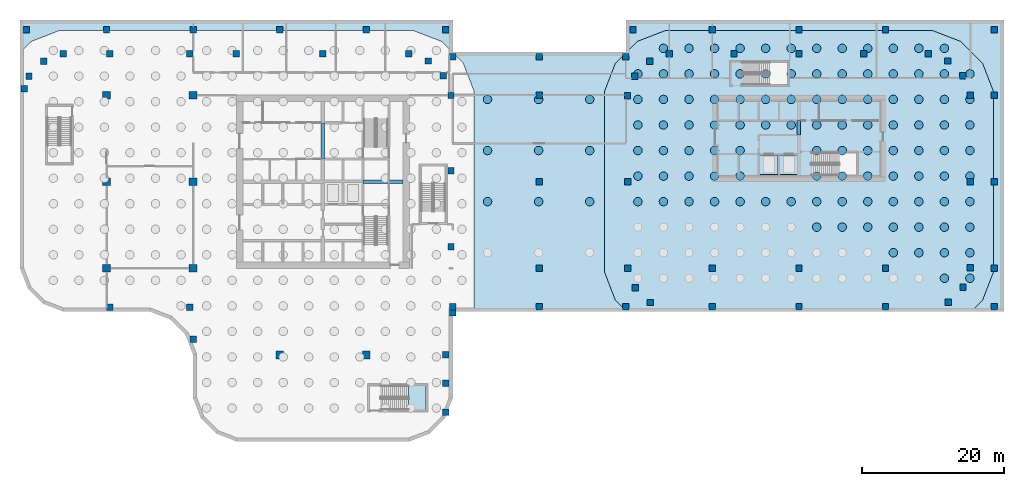
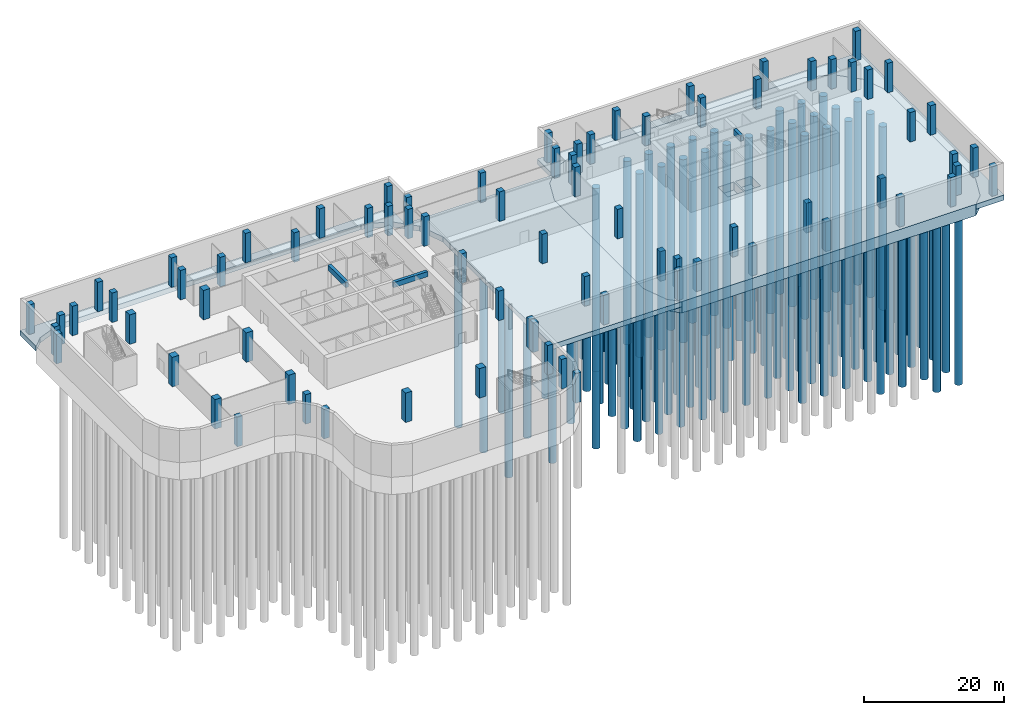
# One storey, part 2 of 13: 114 piles, 78 columns, 4 footings, 3 beams, 1 slab, 1 element without a shape of its own.
"""IFC4 building model written with IfcOpenShell, lengths in metres."""

from ifc_helpers import new_model, si_unit, direction, frame, origin, origin_2d, place, context, subcontext, project, spatial, polyline, rectangle, circle, outline, extrude, material, layer, layer_set, material_profile, profile_set, type_object, element, aggregate, save


model = new_model("IFC4")

# Units and contexts
model_context = context("Model", 3, precision=1e-05, world=origin(), true_north=direction((0.0, 1.0)))
body_context = subcontext(model_context, "Body", "Model", "MODEL_VIEW")
ifc_project = project(units=[si_unit("LENGTHUNIT", "METRE"), si_unit("AREAUNIT", "SQUARE_METRE"), si_unit("VOLUMEUNIT", "CUBIC_METRE"), si_unit("PLANEANGLEUNIT", "RADIAN"), si_unit("MASSUNIT", "GRAM", prefix="KILO")], contexts=[model_context])

# Site, building, storey
site_placement = place(None, origin())
site = spatial("IfcSite", under=ifc_project, at=site_placement, CompositionType="ELEMENT")
building_placement = place(site_placement, origin())
building = spatial("IfcBuilding", under=site, at=building_placement, Name="Tessera Gate Towers", CompositionType="ELEMENT")
storey_placement = place(building_placement, frame((0.0, 0.0, -5.39990234375)))
storey = spatial("IfcBuildingStorey", under=building, at=storey_placement, Name="B1", CompositionType="ELEMENT", Elevation=-5.39990234375)

# Piles
ifc_material_1 = material(Name="Concrete C40/50", Category="concrete")
ifc_material_profile_1 = material_profile(ifc_material_1, circle(Radius=0.60009765625, at=origin_2d()), Name="BORED PILE D1200")
ifc_profile_set_1 = profile_set([ifc_material_profile_1], Name="Concrete C40/50")
pile_type = type_object("IfcPileType", Name="BORED PILE D1200", PredefinedType="BORED", material=ifc_profile_set_1)
for number, where, z_axis, x_axis, name in (
    (1, (87.10009765625, 33.800048828125, -2.2001953125), (0.0, 0.0, -1.0), (1.0, 0.0, 0.0), "Bored pile T2 219"),
    (2, (87.10009765625, 37.39990234375, -2.2001953125), (0.0, 0.0, -1.0), (1.0, 0.0, 0.0), "Bored pile T2 220"),
    (3, (87.10009765625, 41.0, -2.2001953125), (0.0, 0.0, -1.0), (1.0, 0.0, 0.0), "Bored pile T2 221"),
    (4, (87.10009765625, 44.60009765625, -2.2001953125), (0.0, 0.0, -1.0), (1.0, 0.0, 0.0), "Bored pile T2 222"),
    (5, (87.10009765625, 48.199951171875, -2.2001953125), (0.0, 0.0, -1.0), (1.0, 0.0, 0.0), "Bored pile T2 223"),
    (6, (87.10009765625, 51.800048828125, -2.2001953125), (0.0, 0.0, -1.0), (1.0, 0.0, 0.0), "Bored pile T2 224"),
    (7, (90.699951171875, 33.800048828125, -2.2001953125), (0.0, 0.0, -1.0), (1.0, 0.0, 0.0), "Bored pile T2 228"),
    (8, (90.699951171875, 37.39990234375, -2.2001953125), (0.0, 0.0, -1.0), (1.0, 0.0, 0.0), "Bored pile T2 229"),
    (9, (90.699951171875, 41.0, -2.2001953125), (0.0, 0.0, -1.0), (1.0, 0.0, 0.0), "Bored pile T2 230"),
    (10, (90.699951171875, 44.60009765625, -2.2001953125), (0.0, 0.0, -1.0), (1.0, 0.0, 0.0), "Bored pile T2 231"),
    (11, (90.699951171875, 48.199951171875, -2.2001953125), (0.0, 0.0, -1.0), (1.0, 0.0, 0.0), "Bored pile T2 232"),
    (12, (90.699951171875, 51.800048828125, -2.2001953125), (0.0, 0.0, -1.0), (1.0, 0.0, 0.0), "Bored pile T2 233"),
    (13, (90.699951171875, 55.39990234375, -2.2001953125), (0.0, 0.0, -1.0), (1.0, 0.0, 0.0), "Bored pile T2 234"),
    (14, (94.300048828125, 33.800048828125, -2.2001953125), (0.0, 0.0, -1.0), (1.0, 0.0, 0.0), "Bored pile T2 238"),
    (15, (94.300048828125, 37.39990234375, -2.2001953125), (0.0, 0.0, -1.0), (1.0, 0.0, 0.0), "Bored pile T2 239"),
    (16, (94.300048828125, 41.0, -2.2001953125), (0.0, 0.0, -1.0), (1.0, 0.0, 0.0), "Bored pile T2 240"),
    (17, (94.300048828125, 44.60009765625, -2.2001953125), (0.0, 0.0, -1.0), (1.0, 0.0, 0.0), "Bored pile T2 241"),
    (18, (94.300048828125, 48.199951171875, -2.2001953125), (0.0, 0.0, -1.0), (1.0, 0.0, 0.0), "Bored pile T2 242"),
    (19, (94.300048828125, 51.800048828125, -2.2001953125), (0.0, 0.0, -1.0), (1.0, 0.0, 0.0), "Bored pile T2 243"),
    (20, (94.300048828125, 55.39990234375, -2.2001953125), (0.0, 0.0, -1.0), (1.0, 0.0, 0.0), "Bored pile T2 244"),
    (21, (97.89990234375, 33.800048828125, -2.2001953125), (0.0, 0.0, -1.0), (1.0, 0.0, 0.0), "Bored pile T2 248"),
    (22, (97.89990234375, 37.39990234375, -2.2001953125), (0.0, 0.0, -1.0), (1.0, 0.0, 0.0), "Bored pile T2 249"),
    (23, (97.89990234375, 41.0, -2.2001953125), (0.0, 0.0, -1.0), (1.0, 0.0, 0.0), "Bored pile T2 250"),
    (24, (97.89990234375, 44.60009765625, -2.2001953125), (0.0, 0.0, -1.0), (1.0, 0.0, 0.0), "Bored pile T2 251"),
    (25, (97.89990234375, 48.199951171875, -2.2001953125), (0.0, 0.0, -1.0), (1.0, 0.0, 0.0), "Bored pile T2 252"),
    (26, (97.89990234375, 51.800048828125, -2.2001953125), (0.0, 0.0, -1.0), (1.0, 0.0, 0.0), "Bored pile T2 253"),
    (27, (97.89990234375, 55.39990234375, -2.2001953125), (0.0, 0.0, -1.0), (1.0, 0.0, 0.0), "Bored pile T2 254"),
    (28, (101.5, 33.800048828125, -2.2001953125), (0.0, 0.0, -1.0), (1.0, 0.0, 0.0), "Bored pile T2 258"),
    (29, (101.5, 37.39990234375, -2.2001953125), (0.0, 0.0, -1.0), (1.0, 0.0, 0.0), "Bored pile T2 259"),
    (30, (101.5, 41.0, -2.2001953125), (0.0, 0.0, -1.0), (1.0, 0.0, 0.0), "Bored pile T2 260"),
    (31, (101.5, 44.60009765625, -2.2001953125), (0.0, 0.0, -1.0), (1.0, 0.0, 0.0), "Bored pile T2 261"),
    (32, (101.5, 48.199951171875, -2.2001953125), (0.0, 0.0, -1.0), (1.0, 0.0, 0.0), "Bored pile T2 262"),
    (33, (101.5, 51.800048828125, -2.2001953125), (0.0, 0.0, -1.0), (1.0, 0.0, 0.0), "Bored pile T2 263"),
    (34, (101.5, 55.39990234375, -2.2001953125), (0.0, 0.0, -1.0), (1.0, 0.0, 0.0), "Bored pile T2 264"),
    (35, (105.10009765625, 33.800048828125, -2.2001953125), (0.0, 0.0, -1.0), (1.0, 0.0, 0.0), "Bored pile T2 268"),
    (36, (105.10009765625, 44.60009765625, -2.2001953125), (0.0, 0.0, -1.0), (1.0, 0.0, 0.0), "Bored pile T2 269"),
    (37, (105.10009765625, 48.199951171875, -2.2001953125), (0.0, 0.0, -1.0), (1.0, 0.0, 0.0), "Bored pile T2 270"),
    (38, (105.10009765625, 51.800048828125, -2.2001953125), (0.0, 0.0, -1.0), (1.0, 0.0, 0.0), "Bored pile T2 271"),
    (39, (105.10009765625, 55.39990234375, -2.2001953125), (0.0, 0.0, -1.0), (1.0, 0.0, 0.0), "Bored pile T2 272"),
    (40, (108.699951171875, 33.800048828125, -2.2001953125), (0.0, 0.0, -1.0), (1.0, 0.0, 0.0), "Bored pile T2 276"),
    (41, (108.699951171875, 44.60009765625, -2.2001953125), (0.0, 0.0, -1.0), (1.0, 0.0, 0.0), "Bored pile T2 277"),
    (42, (108.699951171875, 48.199951171875, -2.2001953125), (0.0, 0.0, -1.0), (1.0, 0.0, 0.0), "Bored pile T2 278"),
    (43, (108.699951171875, 51.800048828125, -2.2001953125), (0.0, 0.0, -1.0), (1.0, 0.0, 0.0), "Bored pile T2 279"),
    (44, (108.699951171875, 55.39990234375, -2.2001953125), (0.0, 0.0, -1.0), (1.0, 0.0, 0.0), "Bored pile T2 280"),
    (45, (112.300048828125, 30.199951171875, -2.2001953125), (0.0, 0.0, -1.0), (1.0, 0.0, 0.0), "Bored pile T2 283"),
    (46, (112.300048828125, 33.800048828125, -2.2001953125), (0.0, 0.0, -1.0), (1.0, 0.0, 0.0), "Bored pile T2 284"),
    (47, (112.300048828125, 37.39990234375, -2.2001953125), (0.0, 0.0, -1.0), (1.0, 0.0, 0.0), "Bored pile T2 285"),
    (48, (112.300048828125, 41.0, -2.2001953125), (0.0, 0.0, -1.0), (1.0, 0.0, 0.0), "Bored pile T2 286"),
    (49, (112.300048828125, 44.60009765625, -2.2001953125), (0.0, 0.0, -1.0), (1.0, 0.0, 0.0), "Bored pile T2 287"),
    (50, (112.300048828125, 48.199951171875, -2.2001953125), (0.0, 0.0, -1.0), (1.0, 0.0, 0.0), "Bored pile T2 288"),
    (51, (112.300048828125, 51.800048828125, -2.2001953125), (0.0, 0.0, -1.0), (1.0, 0.0, 0.0), "Bored pile T2 289"),
    (52, (112.300048828125, 55.39990234375, -2.2001953125), (0.0, 0.0, -1.0), (1.0, 0.0, 0.0), "Bored pile T2 290"),
    (53, (115.89990234375, 30.199951171875, -2.2001953125), (0.0, 0.0, -1.0), (1.0, 0.0, 0.0), "Bored pile T2 293"),
    (54, (115.89990234375, 33.800048828125, -2.2001953125), (0.0, 0.0, -1.0), (1.0, 0.0, 0.0), "Bored pile T2 294"),
    (55, (115.89990234375, 37.39990234375, -2.2001953125), (0.0, 0.0, -1.0), (1.0, 0.0, 0.0), "Bored pile T2 295"),
    (56, (115.89990234375, 41.0, -2.2001953125), (0.0, 0.0, -1.0), (1.0, 0.0, 0.0), "Bored pile T2 296"),
    (57, (115.89990234375, 44.60009765625, -2.2001953125), (0.0, 0.0, -1.0), (1.0, 0.0, 0.0), "Bored pile T2 297"),
    (58, (115.89990234375, 48.199951171875, -2.2001953125), (0.0, 0.0, -1.0), (1.0, 0.0, 0.0), "Bored pile T2 298"),
    (59, (115.89990234375, 51.800048828125, -2.2001953125), (0.0, 0.0, -1.0), (1.0, 0.0, 0.0), "Bored pile T2 299"),
    (60, (115.89990234375, 55.39990234375, -2.2001953125), (0.0, 0.0, -1.0), (1.0, 0.0, 0.0), "Bored pile T2 300"),
    (61, (119.5, 30.199951171875, -2.2001953125), (0.0, 0.0, -1.0), (1.0, 0.0, 0.0), "Bored pile T2 303"),
    (62, (119.5, 33.800048828125, -2.2001953125), (0.0, 0.0, -1.0), (1.0, 0.0, 0.0), "Bored pile T2 304"),
    (63, (119.5, 37.39990234375, -2.2001953125), (0.0, 0.0, -1.0), (1.0, 0.0, 0.0), "Bored pile T2 305"),
    (64, (119.5, 41.0, -2.2001953125), (0.0, 0.0, -1.0), (1.0, 0.0, 0.0), "Bored pile T2 306"),
    (65, (119.5, 44.60009765625, -2.2001953125), (0.0, 0.0, -1.0), (1.0, 0.0, 0.0), "Bored pile T2 307"),
    (66, (119.5, 48.199951171875, -2.2001953125), (0.0, 0.0, -1.0), (1.0, 0.0, 0.0), "Bored pile T2 308"),
    (67, (119.5, 51.800048828125, -2.2001953125), (0.0, 0.0, -1.0), (1.0, 0.0, 0.0), "Bored pile T2 309"),
    (68, (119.5, 55.39990234375, -2.2001953125), (0.0, 0.0, -1.0), (1.0, 0.0, 0.0), "Bored pile T2 310"),
    (69, (123.10009765625, 26.60009765625, -2.2001953125), (0.0, 0.0, -1.0), (1.0, 0.0, 0.0), "Bored pile T2 312"),
    (70, (123.10009765625, 30.199951171875, -2.2001953125), (0.0, 0.0, -1.0), (1.0, 0.0, 0.0), "Bored pile T2 313"),
    (71, (123.10009765625, 33.800048828125, -2.2001953125), (0.0, 0.0, -1.0), (1.0, 0.0, 0.0), "Bored pile T2 314"),
    (72, (123.10009765625, 37.39990234375, -2.2001953125), (0.0, 0.0, -1.0), (1.0, 0.0, 0.0), "Bored pile T2 315"),
    (73, (123.10009765625, 41.0, -2.2001953125), (0.0, 0.0, -1.0), (1.0, 0.0, 0.0), "Bored pile T2 316"),
    (74, (123.10009765625, 44.60009765625, -2.2001953125), (0.0, 0.0, -1.0), (1.0, 0.0, 0.0), "Bored pile T2 317"),
    (75, (123.10009765625, 48.199951171875, -2.2001953125), (0.0, 0.0, -1.0), (1.0, 0.0, 0.0), "Bored pile T2 318"),
    (76, (123.10009765625, 51.800048828125, -2.2001953125), (0.0, 0.0, -1.0), (1.0, 0.0, 0.0), "Bored pile T2 319"),
    (77, (123.10009765625, 55.39990234375, -2.2001953125), (0.0, 0.0, -1.0), (1.0, 0.0, 0.0), "Bored pile T2 320"),
    (78, (126.699951171875, 26.60009765625, -2.2001953125), (0.0, 0.0, -1.0), (1.0, 0.0, 0.0), "Bored pile T2 322"),
    (79, (126.699951171875, 30.199951171875, -2.2001953125), (0.0, 0.0, -1.0), (1.0, 0.0, 0.0), "Bored pile T2 323"),
    (80, (126.699951171875, 33.800048828125, -2.2001953125), (0.0, 0.0, -1.0), (1.0, 0.0, 0.0), "Bored pile T2 324"),
    (81, (126.699951171875, 37.39990234375, -2.2001953125), (0.0, 0.0, -1.0), (1.0, 0.0, 0.0), "Bored pile T2 325"),
    (82, (126.699951171875, 41.0, -2.2001953125), (0.0, 0.0, -1.0), (1.0, 0.0, 0.0), "Bored pile T2 326"),
    (83, (126.699951171875, 44.60009765625, -2.2001953125), (0.0, 0.0, -1.0), (1.0, 0.0, 0.0), "Bored pile T2 327"),
    (84, (126.699951171875, 48.199951171875, -2.2001953125), (0.0, 0.0, -1.0), (1.0, 0.0, 0.0), "Bored pile T2 328"),
    (85, (126.699951171875, 51.800048828125, -2.2001953125), (0.0, 0.0, -1.0), (1.0, 0.0, 0.0), "Bored pile T2 329"),
    (86, (126.699951171875, 55.39990234375, -2.2001953125), (0.0, 0.0, -1.0), (1.0, 0.0, 0.0), "Bored pile T2 330"),
    (87, (130.300048828125, 23.0, -2.2001953125), (0.0, 0.0, -1.0), (1.0, 0.0, 0.0), "Bored pile T2 331"),
    (88, (130.300048828125, 26.60009765625, -2.2001953125), (0.0, 0.0, -1.0), (1.0, 0.0, 0.0), "Bored pile T2 332"),
    (89, (130.300048828125, 30.199951171875, -2.2001953125), (0.0, 0.0, -1.0), (1.0, 0.0, 0.0), "Bored pile T2 333"),
    (90, (130.300048828125, 33.800048828125, -2.2001953125), (0.0, 0.0, -1.0), (1.0, 0.0, 0.0), "Bored pile T2 334"),
    (91, (130.300048828125, 37.39990234375, -2.2001953125), (0.0, 0.0, -1.0), (1.0, 0.0, 0.0), "Bored pile T2 335"),
    (92, (130.300048828125, 41.0, -2.2001953125), (0.0, 0.0, -1.0), (1.0, 0.0, 0.0), "Bored pile T2 336"),
    (93, (130.300048828125, 44.60009765625, -2.2001953125), (0.0, 0.0, -1.0), (1.0, 0.0, 0.0), "Bored pile T2 337"),
    (94, (130.300048828125, 48.199951171875, -2.2001953125), (0.0, 0.0, -1.0), (1.0, 0.0, 0.0), "Bored pile T2 338"),
    (95, (130.300048828125, 51.800048828125, -2.2001953125), (0.0, 0.0, -1.0), (1.0, 0.0, 0.0), "Bored pile T2 339"),
    (96, (130.300048828125, 55.39990234375, -2.2001953125), (0.0, 0.0, -1.0), (1.0, 0.0, 0.0), "Bored pile T2 340"),
    (97, (133.89990234375, 23.0, -2.2001953125), (0.0, 0.0, -1.0), (1.0, 0.0, 0.0), "Bored pile T2 341"),
    (98, (133.89990234375, 26.60009765625, -2.2001953125), (0.0, 0.0, -1.0), (1.0, 0.0, 0.0), "Bored pile T2 342"),
    (99, (133.89990234375, 30.199951171875, -2.2001953125), (0.0, 0.0, -1.0), (1.0, 0.0, 0.0), "Bored pile T2 343"),
    (100, (133.89990234375, 33.800048828125, -2.2001953125), (0.0, 0.0, -1.0), (1.0, 0.0, 0.0), "Bored pile T2 344"),
    (101, (133.89990234375, 37.39990234375, -2.2001953125), (0.0, 0.0, -1.0), (1.0, 0.0, 0.0), "Bored pile T2 345"),
    (102, (133.89990234375, 41.0, -2.2001953125), (0.0, 0.0, -1.0), (1.0, 0.0, 0.0), "Bored pile T2 346"),
    (103, (133.89990234375, 44.60009765625, -2.2001953125), (0.0, 0.0, -1.0), (1.0, 0.0, 0.0), "Bored pile T2 347"),
    (104, (133.89990234375, 48.199951171875, -2.2001953125), (0.0, 0.0, -1.0), (1.0, 0.0, 0.0), "Bored pile T2 348"),
    (105, (133.89990234375, 51.800048828125, -2.2001953125), (0.0, 0.0, -1.0), (1.0, 0.0, 0.0), "Bored pile T2 349"),
    (106, (65.89990234375, 33.800048828125, -1.10009765625), (0.0, 0.0, -1.0), (1.0, 0.0, 0.0), "Bored pile BASE 351"),
    (107, (65.89990234375, 41.0, -1.10009765625), (0.0, 0.0, -1.0), (1.0, 0.0, 0.0), "Bored pile BASE 352"),
    (108, (65.89990234375, 48.199951171875, -1.10009765625), (0.0, 0.0, -1.0), (1.0, 0.0, 0.0), "Bored pile BASE 353"),
    (109, (73.10009765625, 33.800048828125, -1.10009765625), (0.0, 0.0, -1.0), (1.0, 0.0, 0.0), "Bored pile BASE 355"),
    (110, (73.10009765625, 41.0, -1.10009765625), (0.0, 0.0, -1.0), (1.0, 0.0, 0.0), "Bored pile BASE 356"),
    (111, (73.10009765625, 48.199951171875, -1.10009765625), (0.0, 0.0, -1.0), (1.0, 0.0, 0.0), "Bored pile BASE 357"),
    (112, (80.300048828125, 33.800048828125, -1.10009765625), (0.0, 0.0, -1.0), (1.0, 0.0, 0.0), "Bored pile BASE 359"),
    (113, (80.300048828125, 41.0, -1.10009765625), (0.0, 0.0, -1.0), (1.0, 0.0, 0.0), "Bored pile BASE 360"),
    (114, (80.300048828125, 48.199951171875, -1.10009765625), (0.0, 0.0, -1.0), (1.0, 0.0, 0.0), "Bored pile BASE 361"),
):
    element("IfcPile", number, at=place(storey_placement, frame(where, z_axis=z_axis, x_axis=x_axis)), inside=storey, type_object=pile_type, Name=name, PredefinedType="BORED", context=body_context, shape_type="SweptSolid", body=[
        extrude(circle(Radius=0.60009765625, at=origin_2d()), origin(), (0.0, 0.0, 1.0), 32.0),
    ])

# Footings
ifc_material_2 = material(Name="Concrete C50/60", Category="concrete")
ifc_layer_1 = layer(ifc_material_2, 0.60009765625)
ifc_layer_set_1 = layer_set([ifc_layer_1], Name="PIT FOUNDATION 600")
footing_type_1 = type_object("IfcFootingType", Name="PIT FOUNDATION 600", PredefinedType="PAD_FOOTING", material=ifc_layer_set_1)
footing_1_placement = place(storey_placement, frame((0.0, 0.0, -2.2001953125)))
element("IfcFooting", 115, at=footing_1_placement, inside=storey, type_object=footing_type_1, Name="Pit foundation FF3", PredefinedType="PAD_FOOTING", context=body_context, shape_type="SweptSolid", body=[
    extrude(outline(polyline([(104.25, 37.60009765625), (106.875, 37.60009765625), (106.875, 40.39990234375), (104.25, 40.39990234375), (104.25, 37.60009765625)])), origin(), (0.0, 0.0, 1.0), 0.60009765625),
])
footing_2_placement = place(storey_placement, frame((0.0, 0.0, -2.2001953125)))
element("IfcFooting", 116, at=footing_2_placement, inside=storey, type_object=footing_type_1, Name="Pit foundation FF4", PredefinedType="PAD_FOOTING", context=body_context, shape_type="SweptSolid", body=[
    extrude(outline(polyline([(107.074951171875, 37.60009765625), (109.699951171875, 37.60009765625), (109.699951171875, 40.39990234375), (107.074951171875, 40.39990234375), (107.074951171875, 37.60009765625)])), origin(), (0.0, 0.0, 1.0), 0.60009765625),
])
ifc_material_3 = material(Name="Concrete C50/60", Category="concrete")
ifc_layer_2 = layer(ifc_material_3, 2.0)
ifc_layer_set_2 = layer_set([ifc_layer_2], Name="RAFT FOUNDATION 2000")
footing_type_2 = type_object("IfcFootingType", Name="RAFT FOUNDATION 2000", PredefinedType="PAD_FOOTING", material=ifc_layer_set_2)
footing_3_placement = place(storey_placement, frame((0.0, 0.0, -2.2001953125)))
element("IfcFooting", 117, at=footing_3_placement, inside=storey, type_object=footing_type_2, Name="Raft Gate Tower", PredefinedType="PAD_FOOTING", context=body_context, shape_type="SweptSolid", body=[
    extrude(outline(polyline([(82.39990234375, 23.84130859375), (83.92724609375, 19.882080078125), (85.509521484375, 18.300048828125), (91.5, 18.300048828125), (128.10009765625, 18.300048828125), (134.090576171875, 18.300048828125), (135.672607421875, 19.882080078125), (137.199951171875, 23.84130859375), (137.199951171875, 49.358642578125), (135.672607421875, 53.31787109375), (132.617919921875, 56.372802734375), (128.65869140625, 57.89990234375), (90.94140625, 57.89990234375), (86.982177734375, 56.372802734375), (83.92724609375, 53.31787109375), (82.39990234375, 49.358642578125), (82.39990234375, 23.84130859375)]), holes=[polyline([(104.25, 37.60009765625), (104.25, 40.39990234375), (106.875, 40.39990234375), (106.875, 37.60009765625), (104.25, 37.60009765625)]), polyline([(107.074951171875, 37.60009765625), (107.074951171875, 40.39990234375), (109.699951171875, 40.39990234375), (109.699951171875, 37.60009765625), (107.074951171875, 37.60009765625)])]), origin(), (0.0, 0.0, 1.0), 2.0),
])
ifc_material_4 = material(Name="Concrete C50/60", Category="concrete")
ifc_layer_3 = layer(ifc_material_4, 0.89990234375)
ifc_layer_set_3 = layer_set([ifc_layer_3], Name="RAFT FOUNDATION 900")
footing_type_3 = type_object("IfcFootingType", Name="RAFT FOUNDATION 900", PredefinedType="PAD_FOOTING", material=ifc_layer_set_3)
footing_4_placement = place(storey_placement, frame((0.0, 0.0, -1.10009765625)))
element("IfcFooting", 118, at=footing_4_placement, inside=storey, type_object=footing_type_3, Name="Raft podium", PredefinedType="PAD_FOOTING", context=body_context, shape_type="SweptSolid", body=[
    extrude(outline(polyline([(0.0, 54.79052734375), (1.58203125, 56.372802734375), (5.54150390625, 57.89990234375), (55.45849609375, 57.89990234375), (59.41796875, 56.372802734375), (62.47265625, 53.31787109375), (64.0, 49.358642578125), (64.0, 18.300048828125), (85.509521484375, 18.300048828125), (83.92724609375, 19.882080078125), (82.39990234375, 23.84130859375), (82.39990234375, 49.358642578125), (83.92724609375, 53.31787109375), (86.982177734375, 56.372802734375), (90.94140625, 57.89990234375), (128.65869140625, 57.89990234375), (132.617919921875, 56.372802734375), (135.672607421875, 53.31787109375), (137.199951171875, 49.358642578125), (137.199951171875, 23.84130859375), (135.672607421875, 19.882080078125), (134.090576171875, 18.300048828125), (138.699951171875, 18.300048828125), (138.699951171875, 48.800048828125), (138.699951171875, 59.39990234375), (128.10009765625, 59.39990234375), (85.39990234375, 59.39990234375), (85.39990234375, 54.89990234375), (61.0, 54.89990234375), (61.0, 59.39990234375), (0.0, 59.39990234375), (0.0, 54.79052734375)])), origin(), (0.0, 0.0, 1.0), 0.89990234375),
])

# Columns
ifc_material_5 = material(Name="Concrete C70/85", Category="concrete")
ifc_material_profile_2 = material_profile(ifc_material_5, rectangle(XDim=1.10009765625, YDim=1.10009765625, at=origin_2d()), Name="RC 1100x1100")
ifc_profile_set_2 = profile_set([ifc_material_profile_2], Name="Concrete C70/85")
column_type_1 = type_object("IfcColumnType", Name="COLUMN RC 1100x1100", PredefinedType="COLUMN", material=ifc_profile_set_2)
for number, where, z_axis, x_axis, name in (
    (119, (12.199951171875, 24.39990234375, 0.0), (0.0, 0.0, 1.0), (1.0, 0.0, 0.0), "T1-COL-2C-B1"),
    (120, (12.199951171875, 36.60009765625, 0.0), (0.0, 0.0, 1.0), (1.0, 0.0, 0.0), "T1-COL-2D-B1"),
    (121, (12.199951171875, 48.800048828125, 0.0), (0.0, 0.0, 1.0), (1.0, 0.0, 0.0), "T1-COL-2E-B1"),
    (122, (24.39990234375, 24.39990234375, 0.0), (0.0, 0.0, 1.0), (1.0, 0.0, 0.0), "T1-COL-3C-B1"),
    (123, (24.39990234375, 36.60009765625, 0.0), (0.0, 0.0, 1.0), (1.0, 0.0, 0.0), "T1-COL-3D-B1"),
    (124, (24.39990234375, 48.800048828125, 0.0), (0.0, 0.0, 1.0), (1.0, 0.0, 0.0), "T1-COL-3E-B1"),
    (125, (36.60009765625, 12.199951171875, 0.0), (0.0, 0.0, 1.0), (1.0, 0.0, 0.0), "T1-COL-4B-B1"),
    (126, (48.800048828125, 12.199951171875, 0.0), (0.0, 0.0, 1.0), (1.0, 0.0, 0.0), "T1-COL-5B-B1"),
):
    element("IfcColumn", number, at=place(storey_placement, frame(where, z_axis=z_axis, x_axis=x_axis)), inside=storey, type_object=column_type_1, Name=name, PredefinedType="COLUMN", context=body_context, shape_type="SweptSolid", body=[
        extrude(rectangle(XDim=1.10009765625, YDim=1.10009765625, at=origin_2d()), origin(), (0.0, 0.0, 1.0), 5.14990234375),
    ])
ifc_material_6 = material(Name="Concrete C70/85", Category="concrete")
ifc_material_profile_3 = material_profile(ifc_material_6, rectangle(XDim=0.89990234375, YDim=0.89990234375, at=origin_2d()), Name="RC 900x900")
ifc_profile_set_3 = profile_set([ifc_material_profile_3], Name="Concrete C70/85")
column_type_2 = type_object("IfcColumnType", Name="COLUMN RC 900x900", PredefinedType="COLUMN", material=ifc_profile_set_3)
for number, where, z_axis, x_axis, name in (
    (127, (12.64990234375, 54.64990234375, 0.0), (0.0, 0.0, 1.0), (1.0, 0.0, 0.0), "PD-COL-E1-B1"),
    (128, (23.949951171875, 54.64990234375, 0.0), (0.0, 0.0, 1.0), (1.0, 0.0, 0.0), "PD-COL-E2-B1"),
    (129, (60.75, 27.449951171875, 0.0), (0.0, 0.0, 1.0), (1.0, 0.0, 0.0), "PD-COL-E3-B1"),
    (130, (60.75, 38.125, 0.0), (0.0, 0.0, 1.0), (1.0, 0.0, 0.0), "PD-COL-E4-B1"),
    (131, (60.75, 48.800048828125, 0.0), (0.0, 0.0, 1.0), (1.0, 0.0, 0.0), "PD-COL-E5-B1"),
    (132, (59.6689453125, 51.555908203125, 0.0), (0.0, 0.0, 1.0), (1.0, 0.0, 0.0), "PD-COL-E6-B1"),
    (133, (57.569091796875, 53.6259765625, 0.0), (0.0, 0.0, 1.0), (1.0, 0.0, 0.0), "PD-COL-E7-B1"),
    (134, (54.81005859375, 54.6669921875, 0.0), (0.0, 0.0, 1.0), (1.0, 0.0, 0.0), "PD-COL-E8-B1"),
    (135, (42.699951171875, 54.64990234375, 0.0), (0.0, 0.0, 1.0), (1.0, 0.0, 0.0), "PD-COL-E9-B1"),
    (136, (30.5, 54.64990234375, 0.0), (0.0, 0.0, 1.0), (1.0, 0.0, 0.0), "PD-COL-E10-B1"),
    (137, (6.10009765625, 54.64990234375, 0.0), (0.0, 0.0, 1.0), (1.0, 0.0, 0.0), "PD-COL-E11-B1"),
    (138, (3.343994140625, 53.569091796875, 0.0), (0.0, 0.0, 1.0), (1.0, 0.0, 0.0), "PD-COL-E12-B1"),
    (139, (1.27392578125, 51.468994140625, 0.0), (0.0, 0.0, 1.0), (1.0, 0.0, 0.0), "PD-COL-E13-B1"),
    (140, (130.85595703125, 19.631103515625, 0.0), (0.0, 0.0, 1.0), (1.0, 0.0, 0.0), "PD-COL-E14-B1"),
    (141, (132.926025390625, 21.73095703125, 0.0), (0.0, 0.0, 1.0), (1.0, 0.0, 0.0), "PD-COL-E15-B1"),
    (142, (133.967041015625, 24.489990234375, 0.0), (0.0, 0.0, 1.0), (1.0, 0.0, 0.0), "PD-COL-E16-B1"),
    (143, (133.949951171875, 36.60009765625, 0.0), (0.0, 0.0, 1.0), (1.0, 0.0, 0.0), "PD-COL-E17-B1"),
    (144, (133.949951171875, 48.800048828125, 0.0), (0.0, 0.0, 1.0), (1.0, 0.0, 0.0), "PD-COL-E18-B1"),
    (145, (132.868896484375, 51.555908203125, 0.0), (0.0, 0.0, 1.0), (1.0, 0.0, 0.0), "PD-COL-E19-B1"),
    (146, (130.76904296875, 53.6259765625, 0.0), (0.0, 0.0, 1.0), (1.0, 0.0, 0.0), "PD-COL-E20-B1"),
    (147, (128.010009765625, 54.6669921875, 0.0), (0.0, 0.0, 1.0), (1.0, 0.0, 0.0), "PD-COL-E21-B1"),
    (148, (118.949951171875, 54.64990234375, 0.0), (0.0, 0.0, 1.0), (1.0, 0.0, 0.0), "PD-COL-E22-B1"),
    (149, (109.800048828125, 54.64990234375, 0.0), (0.0, 0.0, 1.0), (1.0, 0.0, 0.0), "PD-COL-E23-B1"),
    (150, (100.64990234375, 54.64990234375, 0.0), (0.0, 0.0, 1.0), (1.0, 0.0, 0.0), "PD-COL-E24-B1"),
    (151, (91.5, 54.64990234375, 0.0), (0.0, 0.0, 1.0), (1.0, 0.0, 0.0), "PD-COL-E25-B1"),
    (152, (88.743896484375, 53.569091796875, 0.0), (0.0, 0.0, 1.0), (1.0, 0.0, 0.0), "PD-COL-E26-B1"),
    (153, (86.674072265625, 51.468994140625, 0.0), (0.0, 0.0, 1.0), (1.0, 0.0, 0.0), "PD-COL-E27-B1"),
    (154, (85.633056640625, 48.7099609375, 0.0), (0.0, 0.0, 1.0), (1.0, 0.0, 0.0), "PD-COL-E28-B1"),
    (155, (85.64990234375, 36.60009765625, 0.0), (0.0, 0.0, 1.0), (1.0, 0.0, 0.0), "PD-COL-E29-B1"),
    (156, (85.64990234375, 24.39990234375, 0.0), (0.0, 0.0, 1.0), (1.0, 0.0, 0.0), "PD-COL-E30-B1"),
    (157, (86.73095703125, 21.64404296875, 0.0), (0.0, 0.0, 1.0), (1.0, 0.0, 0.0), "PD-COL-E31-B1"),
    (158, (88.8310546875, 19.573974609375, 0.0), (0.0, 0.0, 1.0), (1.0, 0.0, 0.0), "PD-COL-E32-B1"),
    (159, (97.60009765625, 24.39990234375, 0.0), (0.0, 0.0, 1.0), (1.0, 0.0, 0.0), "T2-COL-9C-B1"),
    (160, (109.800048828125, 24.39990234375, 0.0), (0.0, 0.0, 1.0), (1.0, 0.0, 0.0), "T2-COL-10C-B1"),
    (161, (122.0, 24.39990234375, 0.0), (0.0, 0.0, 1.0), (1.0, 0.0, 0.0), "T2-COL-11C-B1"),
    (162, (73.199951171875, 24.39990234375, 0.0), (0.0, 0.0, 1.0), (1.0, 0.0, 0.0), "PD-COL-7C-B1"),
    (163, (73.199951171875, 36.60009765625, 0.0), (0.0, 0.0, 1.0), (1.0, 0.0, 0.0), "PD-COL-7D-B1"),
    (164, (73.199951171875, 48.800048828125, 0.0), (0.0, 0.0, 1.0), (1.0, 0.0, 0.0), "PD-COL-7E-B1"),
    (165, (12.199951171875, 58.0, 0.0), (0.0, 0.0, 1.0), (1.0, 0.0, 0.0), "PD-COL-258-B1"),
    (166, (24.39990234375, 58.0, 0.0), (0.0, 0.0, 1.0), (1.0, 0.0, 0.0), "PD-COL-358-B1"),
    (167, (36.60009765625, 58.0, 0.0), (0.0, 0.0, 1.0), (1.0, 0.0, 0.0), "PD-COL-458-B1"),
    (168, (48.800048828125, 58.0, 0.0), (0.0, 0.0, 1.0), (1.0, 0.0, 0.0), "PD-COL-558-B1"),
    (169, (97.60009765625, 58.0, 0.0), (0.0, 0.0, 1.0), (1.0, 0.0, 0.0), "PD-COL-958-B1"),
    (170, (109.800048828125, 58.0, 0.0), (0.0, 0.0, 1.0), (1.0, 0.0, 0.0), "PD-COL-1058-B1"),
    (171, (122.0, 58.0, 0.0), (0.0, 0.0, 1.0), (1.0, 0.0, 0.0), "PD-COL-1158-B1"),
    (172, (137.300048828125, 58.0, 0.0), (0.0, 0.0, 1.0), (1.0, 0.0, 0.0), "PD-COL-137.358-B1"),
    (173, (137.300048828125, 48.800048828125, 0.0), (0.0, 0.0, 1.0), (1.0, 0.0, 0.0), "PD-COL-137.3E-B1"),
    (174, (137.300048828125, 36.60009765625, 0.0), (0.0, 0.0, 1.0), (1.0, 0.0, 0.0), "PD-COL-137.3D-B1"),
    (175, (137.300048828125, 24.39990234375, 0.0), (0.0, 0.0, 1.0), (1.0, 0.0, 0.0), "PD-COL-137.3C-B1"),
    (176, (61.0, 19.0, 0.0), (0.0, 0.0, 1.0), (1.0, 0.0, 0.0), "PD-COL-619-B1"),
    (177, (73.199951171875, 19.0, 0.0), (0.0, 0.0, 1.0), (1.0, 0.0, 0.0), "PD-COL-719-B1"),
    (178, (85.39990234375, 19.0, 0.0), (0.0, 0.0, 1.0), (1.0, 0.0, 0.0), "PD-COL-819-B1"),
    (179, (97.60009765625, 19.0, 0.0), (0.0, 0.0, 1.0), (1.0, 0.0, 0.0), "PD-COL-919-B1"),
    (180, (109.800048828125, 19.0, 0.0), (0.0, 0.0, 1.0), (1.0, 0.0, 0.0), "PD-COL-1019-B1"),
    (181, (122.0, 19.0, 0.0), (0.0, 0.0, 1.0), (1.0, 0.0, 0.0), "PD-COL-1119-B1"),
    (182, (137.300048828125, 19.0, 0.0), (0.0, 0.0, 1.0), (1.0, 0.0, 0.0), "PD-COL-137.319-B1"),
    (183, (61.0, 54.199951171875, 0.0), (0.0, 0.0, 1.0), (1.0, 0.0, 0.0), "PD-COL-654.2-B1"),
    (184, (73.199951171875, 54.199951171875, 0.0), (0.0, 0.0, 1.0), (1.0, 0.0, 0.0), "PD-COL-754.2-B1"),
    (185, (85.39990234375, 54.199951171875, 0.0), (0.0, 0.0, 1.0), (1.0, 0.0, 0.0), "PD-COL-854.2-B1"),
    (186, (60.0, 58.0, 0.0), (0.0, 0.0, 1.0), (1.0, 0.0, 0.0), "PD-COL-6058-B1"),
    (187, (86.39990234375, 58.0, 0.0), (0.0, 0.0, 1.0), (1.0, 0.0, 0.0), "PD-COL-86.458-B1"),
    (188, (0.89990234375, 58.0, 0.0), (0.0, 0.0, 1.0), (1.0, 0.0, 0.0), "PD-COL-0.958-B1"),
    (189, (60.0, 12.199951171875, 0.0), (0.0, 0.0, 1.0), (1.0, 0.0, 0.0), "PD-COL-60B-B1"),
    (190, (24.39990234375, 14.39990234375, 0.0), (0.0, 0.0, 1.0), (1.0, 0.0, 0.0), "PD-COL-314.4-B1"),
    (191, (60.0, 8.199951171875, 0.0), (0.0, 0.0, 1.0), (1.0, 0.0, 0.0), "PD-COL-608.2-B1"),
    (192, (60.0, 4.10009765625, 0.0), (0.0, 0.0, 1.0), (1.0, 0.0, 0.0), "PD-COL-604.1-B1"),
    (193, (61.0, 18.10009765625, 0.0), (0.0, 0.0, 1.0), (1.0, 0.0, 0.0), "PD-COL-618.1-B1"),
    (194, (0.6201171875, 49.719970703125, 0.0), (0.0, 0.0, 1.0), (1.0, 0.0, 0.0), "PD-COL-0.6249.72-B1"),
    (195, (12.64990234375, 18.89990234375, 0.0), (0.0, 0.0, 1.0), (1.0, 0.0, 0.0), "PD-COL-MOUTH1-B1"),
    (196, (23.949951171875, 18.89990234375, 0.0), (0.0, 0.0, 1.0), (1.0, 0.0, 0.0), "PD-COL-MOUTH2-B1"),
):
    element("IfcColumn", number, at=place(storey_placement, frame(where, z_axis=z_axis, x_axis=x_axis)), inside=storey, type_object=column_type_2, Name=name, PredefinedType="COLUMN", context=body_context, shape_type="SweptSolid", body=[
        extrude(rectangle(XDim=0.89990234375, YDim=0.89990234375, at=origin_2d()), origin(), (0.0, 0.0, 1.0), 5.14990234375),
    ])

# Beams
ifc_material_7 = material(Name="Concrete C60/75", Category="concrete")
ifc_material_profile_4 = material_profile(ifc_material_7, rectangle(XDim=0.5, YDim=0.89990234375, at=origin_2d()), Name="RC 500x900")
ifc_profile_set_4 = profile_set([ifc_material_profile_4], Name="Concrete C60/75")
beam_type_1 = type_object("IfcBeamType", Name="COUPLING BEAM 500x900 C60/75", PredefinedType="BEAM", material=ifc_profile_set_4)
beam_1_placement = place(storey_placement, frame((109.800048828125, 43.199951171875, 4.699951171875), z_axis=(0.0, 1.0, 0.0), x_axis=(-1.0, 0.0, 0.0)))
element("IfcBeam", 197, at=beam_1_placement, inside=storey, type_object=beam_type_1, Name="B1 coupling beam 1", PredefinedType="BEAM", context=body_context, shape_type="SweptSolid", body=[
    extrude(rectangle(XDim=0.5, YDim=0.89990234375, at=origin_2d()), origin(), (0.0, 0.0, 1.0), 2.0),
])
ifc_material_8 = material(Name="Concrete C70/85", Category="concrete")
ifc_material_profile_5 = material_profile(ifc_material_8, rectangle(XDim=0.5, YDim=0.89990234375, at=origin_2d()), Name="RC 500x900")
ifc_profile_set_5 = profile_set([ifc_material_profile_5], Name="Concrete C70/85")
beam_type_2 = type_object("IfcBeamType", Name="COUPLING BEAM 500x900 C70/85", PredefinedType="BEAM", material=ifc_profile_set_5)
beam_2_placement = place(storey_placement, frame((48.35009765625, 36.60009765625, 4.699951171875), z_axis=(1.0, 0.0, 0.0), x_axis=(0.0, 1.0, 0.0)))
element("IfcBeam", 198, at=beam_2_placement, inside=storey, type_object=beam_type_2, Name="B1 coupling beam 1", PredefinedType="BEAM", context=body_context, shape_type="SweptSolid", body=[
    extrude(rectangle(XDim=0.5, YDim=0.89990234375, at=origin_2d()), origin(), (0.0, 0.0, 1.0), 5.64990234375),
])
beam_3_placement = place(storey_placement, frame((42.699951171875, 39.800048828125, 4.699951171875), z_axis=(0.0, 1.0, 0.0), x_axis=(-1.0, 0.0, 0.0)))
element("IfcBeam", 199, at=beam_3_placement, inside=storey, type_object=beam_type_2, Name="B1 coupling beam 2", PredefinedType="BEAM", context=body_context, shape_type="SweptSolid", body=[
    extrude(rectangle(XDim=0.5, YDim=0.89990234375, at=origin_2d()), origin(), (0.0, 0.0, 1.0), 5.099853515625),
])

# Stair, slab
ifc_material_9 = material(Name="Concrete C40/50", Category="concrete")
stair_type = type_object("IfcStairType", Name="EXIT STAIR ST4C 1600", PredefinedType="HALF_TURN_STAIR", material=ifc_material_9)
stair_placement = place(storey_placement, origin())
stair = element("IfcStair", 200, at=stair_placement, inside=storey, type_object=stair_type, Name="B1 South Exit Stair ST4", PredefinedType="HALF_TURN_STAIR")
ifc_material_10 = material(Name="Concrete C40/50", Category="concrete")
ifc_layer_4 = layer(ifc_material_10, 0.199951171875)
ifc_layer_set_4 = layer_set([ifc_layer_4], Name="EXIT STAIR LANDING 200")
slab_type = type_object("IfcSlabType", Name="EXIT STAIR LANDING 200", PredefinedType="LANDING", material=ifc_layer_set_4)
slab_placement = place(storey_placement, frame((0.0, 0.0, 2.5)))
slab = element("IfcSlab", 201, at=slab_placement, type_object=slab_type, Name="ST4 landing 1", PredefinedType="LANDING", context=body_context, shape_type="SweptSolid", body=[
    extrude(outline(polyline([(54.77001953125, 4.449951171875), (57.25, 4.449951171875), (57.25, 7.85009765625), (54.77001953125, 7.85009765625), (54.77001953125, 4.449951171875)])), origin(), (0.0, 0.0, 1.0), 0.199951171875),
])
aggregate(stair, [slab])

save(model, "model.ifc")
